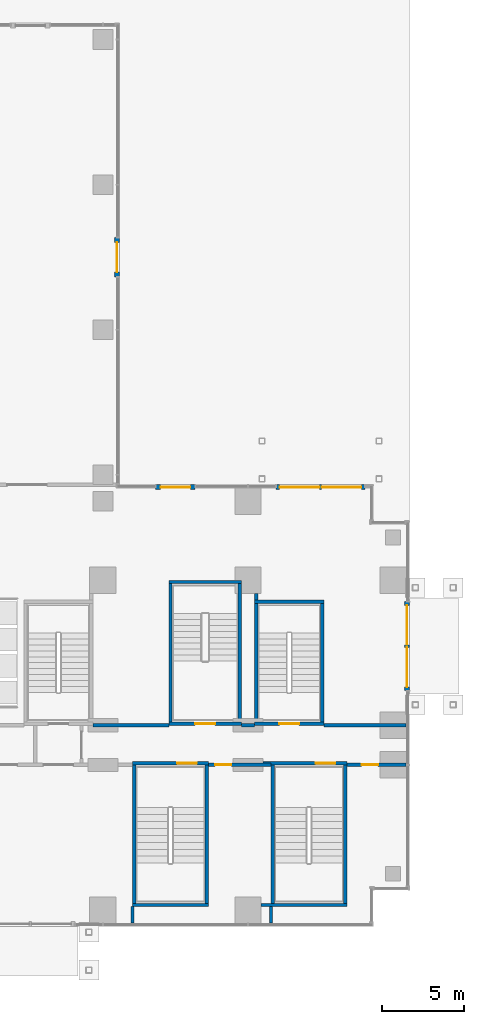
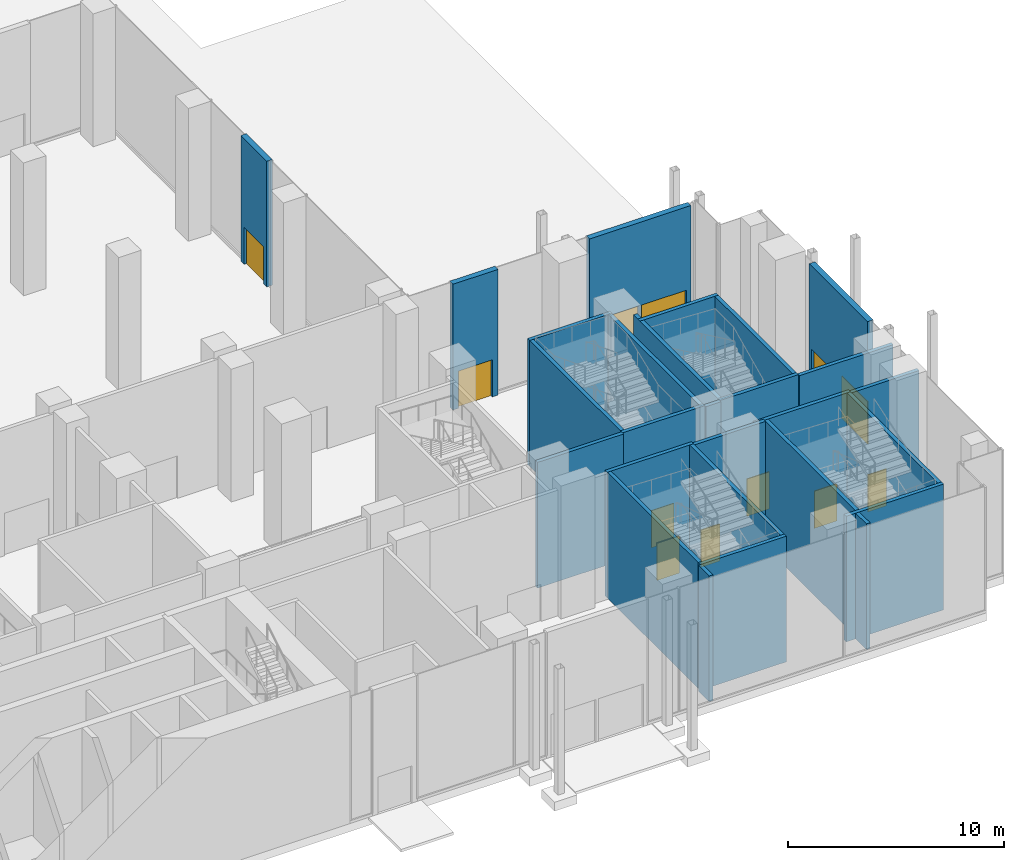
# One storey, part 28 of 41: 27 walls, 12 doors, 12 openings.
"""IFC4 building model written with IfcOpenShell, lengths in metres."""

from ifc_helpers import new_model, si_unit, direction, frame, frame_2d, origin, place, context, subcontext, project, spatial, rectangle, extrude, material, layer, layer_set, type_object, element, fill, save


model = new_model("IFC4")

# Units and contexts
model_context = context("Model", 3, precision=1e-05, world=origin(), true_north=direction((0.0, 1.0)))
body_context = subcontext(model_context, "Body", "Model", "MODEL_VIEW")
ifc_project = project(units=[si_unit("LENGTHUNIT", "METRE"), si_unit("AREAUNIT", "SQUARE_METRE"), si_unit("VOLUMEUNIT", "CUBIC_METRE"), si_unit("PLANEANGLEUNIT", "RADIAN"), si_unit("MASSUNIT", "GRAM", prefix="KILO")], contexts=[model_context])

# Site, building, storey
site_placement = place(None, origin())
site = spatial("IfcSite", under=ifc_project, at=site_placement, CompositionType="ELEMENT")
building_placement = place(site_placement, origin())
building = spatial("IfcBuilding", under=site, at=building_placement, Name="Kemantara Hotel Tower", CompositionType="ELEMENT")
storey_placement = place(building_placement, origin())
storey = spatial("IfcBuildingStorey", under=building, at=storey_placement, Name="L00", CompositionType="ELEMENT", Elevation=0.0)

# Wall, openings, doors
ifc_material_1 = material(Name="Bronze-clad aluminium panel", Category="aluminium")
ifc_layer_1 = layer(ifc_material_1, 0.300048828125)
ifc_layer_set_1 = layer_set([ifc_layer_1], Name="Bronze-clad aluminium panel")
wall_type_1 = type_object("IfcWallType", Name="BRONZE-CLAD EXTERNAL WALL 300", PredefinedType="STANDARD", material=ifc_layer_set_1)
wall_1_placement = place(storey_placement, frame((81.050048828125, 19.699951171875, 0.0), z_axis=(0.0, 0.0, 1.0), x_axis=(0.0, -1.0, 0.0)))
wall_1 = element("IfcWall", 1, at=wall_1_placement, inside=storey, type_object=wall_type_1, Name="EXTERNAL WALL AT ENTRANCE", PredefinedType="STANDARD", context=body_context, shape_type="SweptSolid", body=[
    extrude(rectangle(XDim=5.39990234375, YDim=0.300048828125, at=frame_2d((2.699951171875, 0.0))), origin(), (0.0, 0.0, 1.0), 7.10009765625),
])
opening_1_placement = place(wall_1_placement, frame((0.22509765625, 0.0, 0.0)))
opening_1 = element("IfcOpeningElement", 2, at=opening_1_placement, cuts=wall_1, Name="Opening L00-B033", PredefinedType="OPENING", context=body_context, shape_type="SweptSolid", body=[
    extrude(rectangle(XDim=2.39990234375, YDim=2.39990234375, at=frame_2d((1.199951171875, 1.199951171875))), frame((0.0, 0.159912109375, 0.0), z_axis=(0.0, -1.0, 0.0), x_axis=(1.0, 0.0, 0.0)), (0.0, 0.0, 1.0), 0.320068359375),
])
opening_2_placement = place(wall_1_placement, frame((2.77490234375, 0.0, 0.0)))
opening_2 = element("IfcOpeningElement", 3, at=opening_2_placement, cuts=wall_1, Name="Opening L00-B034", PredefinedType="OPENING", context=body_context, shape_type="SweptSolid", body=[
    extrude(rectangle(XDim=2.39990234375, YDim=2.39990234375, at=frame_2d((1.199951171875, 1.199951171875))), frame((0.0, 0.159912109375, 0.0), z_axis=(0.0, -1.0, 0.0), x_axis=(1.0, 0.0, 0.0)), (0.0, 0.0, 1.0), 0.320068359375),
])
ifc_material_2 = material(Name="Toughened glass door leaf", Category="glass")
door_type_1 = type_object("IfcDoorType", Name="AUTOMATIC SLIDING GLASS DOOR 2400 X 2400", OperationType="DOUBLE_DOOR_SLIDING", PredefinedType="DOOR", material=ifc_material_2)
door_1_placement = place(opening_1_placement, origin())
door_1 = element("IfcDoor", 4, at=door_1_placement, inside=storey, type_object=door_type_1, Name="ENTRANCE DOOR", OperationType="DOUBLE_DOOR_SLIDING", OverallHeight=2.39990234375, OverallWidth=2.39990234375, PredefinedType="DOOR", context=body_context, shape_type="SweptSolid", body=[
    extrude(rectangle(XDim=2.39990234375, YDim=2.39990234375, at=frame_2d((1.199951171875, 1.199951171875))), frame((0.0, 0.02490234375, 0.0), z_axis=(0.0, -1.0, 0.0), x_axis=(1.0, 0.0, 0.0)), (0.0, 0.0, 1.0), 0.050048828125),
])
fill(opening_1, door_1)
door_2_placement = place(opening_2_placement, origin())
door_2 = element("IfcDoor", 5, at=door_2_placement, inside=storey, type_object=door_type_1, Name="ENTRANCE DOOR", OperationType="DOUBLE_DOOR_SLIDING", OverallHeight=2.39990234375, OverallWidth=2.39990234375, PredefinedType="DOOR", context=body_context, shape_type="SweptSolid", body=[
    extrude(rectangle(XDim=2.39990234375, YDim=2.39990234375, at=frame_2d((1.199951171875, 1.199951171875))), frame((0.0, 0.02490234375, 0.0), z_axis=(0.0, -1.0, 0.0), x_axis=(1.0, 0.0, 0.0)), (0.0, 0.0, 1.0), 0.050048828125),
])
fill(opening_2, door_2)

wall_2_placement = place(storey_placement, frame((73.10009765625, 26.64990234375, 0.0), z_axis=(0.0, 0.0, 1.0), x_axis=(1.0, 0.0, 0.0)))
wall_2 = element("IfcWall", 6, at=wall_2_placement, inside=storey, type_object=wall_type_1, Name="EXTERNAL WALL AT ENTRANCE", PredefinedType="STANDARD", context=body_context, shape_type="SweptSolid", body=[
    extrude(rectangle(XDim=5.39990234375, YDim=0.300048828125, at=frame_2d((2.699951171875, 0.0))), origin(), (0.0, 0.0, 1.0), 7.10009765625),
])
opening_3_placement = place(wall_2_placement, frame((0.22509765625, 0.0, 0.0)))
opening_3 = element("IfcOpeningElement", 7, at=opening_3_placement, cuts=wall_2, Name="Opening L00-B035", PredefinedType="OPENING", context=body_context, shape_type="SweptSolid", body=[
    extrude(rectangle(XDim=2.39990234375, YDim=2.39990234375, at=frame_2d((1.199951171875, 1.199951171875))), frame((0.0, 0.159912109375, 0.0), z_axis=(0.0, -1.0, 0.0), x_axis=(1.0, 0.0, 0.0)), (0.0, 0.0, 1.0), 0.320068359375),
])
opening_4_placement = place(wall_2_placement, frame((2.77490234375, 0.0, 0.0)))
opening_4 = element("IfcOpeningElement", 8, at=opening_4_placement, cuts=wall_2, Name="Opening L00-B036", PredefinedType="OPENING", context=body_context, shape_type="SweptSolid", body=[
    extrude(rectangle(XDim=2.39990234375, YDim=2.39990234375, at=frame_2d((1.199951171875, 1.199951171875))), frame((0.0, 0.159912109375, 0.0), z_axis=(0.0, -1.0, 0.0), x_axis=(1.0, 0.0, 0.0)), (0.0, 0.0, 1.0), 0.320068359375),
])
door_3_placement = place(opening_3_placement, origin())
door_3 = element("IfcDoor", 9, at=door_3_placement, inside=storey, type_object=door_type_1, Name="ENTRANCE DOOR", OperationType="DOUBLE_DOOR_SLIDING", OverallHeight=2.39990234375, OverallWidth=2.39990234375, PredefinedType="DOOR", context=body_context, shape_type="SweptSolid", body=[
    extrude(rectangle(XDim=2.39990234375, YDim=2.39990234375, at=frame_2d((1.199951171875, 1.199951171875))), frame((0.0, 0.02490234375, 0.0), z_axis=(0.0, -1.0, 0.0), x_axis=(1.0, 0.0, 0.0)), (0.0, 0.0, 1.0), 0.050048828125),
])
fill(opening_3, door_3)
door_4_placement = place(opening_4_placement, origin())
door_4 = element("IfcDoor", 10, at=door_4_placement, inside=storey, type_object=door_type_1, Name="ENTRANCE DOOR", OperationType="DOUBLE_DOOR_SLIDING", OverallHeight=2.39990234375, OverallWidth=2.39990234375, PredefinedType="DOOR", context=body_context, shape_type="SweptSolid", body=[
    extrude(rectangle(XDim=2.39990234375, YDim=2.39990234375, at=frame_2d((1.199951171875, 1.199951171875))), frame((0.0, 0.02490234375, 0.0), z_axis=(0.0, -1.0, 0.0), x_axis=(1.0, 0.0, 0.0)), (0.0, 0.0, 1.0), 0.050048828125),
])
fill(opening_4, door_4)

# Wall, opening, door
wall_3_placement = place(storey_placement, frame((65.800048828125, 26.64990234375, 0.0), z_axis=(0.0, 0.0, 1.0), x_axis=(1.0, 0.0, 0.0)))
wall_3 = element("IfcWall", 11, at=wall_3_placement, inside=storey, type_object=wall_type_1, Name="EXTERNAL WALL AT ENTRANCE", PredefinedType="STANDARD", context=body_context, shape_type="SweptSolid", body=[
    extrude(rectangle(XDim=2.39990234375, YDim=0.300048828125, at=frame_2d((1.199951171875, 0.0))), origin(), (0.0, 0.0, 1.0), 7.10009765625),
])
opening_5_placement = place(wall_3_placement, frame((0.300048828125, 0.0, 0.0)))
opening_5 = element("IfcOpeningElement", 12, at=opening_5_placement, cuts=wall_3, Name="Opening L00-B045", PredefinedType="OPENING", context=body_context, shape_type="SweptSolid", body=[
    extrude(rectangle(XDim=1.800048828125, YDim=2.10009765625, at=frame_2d((0.89990234375, 1.050048828125))), frame((0.0, 0.159912109375, 0.0), z_axis=(0.0, -1.0, 0.0), x_axis=(1.0, 0.0, 0.0)), (0.0, 0.0, 1.0), 0.320068359375),
])
ifc_material_3 = material(Name="Galvanised steel door leaf", Category="steel")
door_type_2 = type_object("IfcDoorType", Name="FIRE-RATED STEEL DOOR DOUBLE LEAF 1800 X 2100", OperationType="DOUBLE_DOOR_SINGLE_SWING", PredefinedType="DOOR", material=ifc_material_3)
door_5_placement = place(opening_5_placement, origin())
door_5 = element("IfcDoor", 13, at=door_5_placement, inside=storey, type_object=door_type_2, Name="ENTRANCE DOOR", OperationType="DOUBLE_DOOR_SINGLE_SWING", OverallHeight=2.10009765625, OverallWidth=1.800048828125, PredefinedType="DOOR", context=body_context, shape_type="SweptSolid", body=[
    extrude(rectangle(XDim=1.800048828125, YDim=2.10009765625, at=frame_2d((0.89990234375, 1.050048828125))), frame((0.0, 0.02490234375, 0.0), z_axis=(0.0, -1.0, 0.0), x_axis=(1.0, 0.0, 0.0)), (0.0, 0.0, 1.0), 0.050048828125),
])
fill(opening_5, door_5)

wall_4_placement = place(storey_placement, frame((63.449951171875, 41.800048828125, 0.0), z_axis=(0.0, 0.0, 1.0), x_axis=(0.0, -1.0, 0.0)))
wall_4 = element("IfcWall", 14, at=wall_4_placement, inside=storey, type_object=wall_type_1, Name="EXTERNAL WALL AT ENTRANCE", PredefinedType="STANDARD", context=body_context, shape_type="SweptSolid", body=[
    extrude(rectangle(XDim=2.400146484375, YDim=0.300048828125, at=frame_2d((1.2001953125, 0.0))), origin(), (0.0, 0.0, 1.0), 7.10009765625),
])
opening_6_placement = place(wall_4_placement, frame((0.300048828125, 0.0, 0.0)))
opening_6 = element("IfcOpeningElement", 15, at=opening_6_placement, cuts=wall_4, Name="Opening L00-B046", PredefinedType="OPENING", context=body_context, shape_type="SweptSolid", body=[
    extrude(rectangle(XDim=1.800048828125, YDim=2.10009765625, at=frame_2d((0.89990234375, 1.050048828125))), frame((0.0, 0.159912109375, 0.0), z_axis=(0.0, -1.0, 0.0), x_axis=(1.0, 0.0, 0.0)), (0.0, 0.0, 1.0), 0.320068359375),
])
door_6_placement = place(opening_6_placement, origin())
door_6 = element("IfcDoor", 16, at=door_6_placement, inside=storey, type_object=door_type_2, Name="ENTRANCE DOOR", OperationType="DOUBLE_DOOR_SINGLE_SWING", OverallHeight=2.10009765625, OverallWidth=1.800048828125, PredefinedType="DOOR", context=body_context, shape_type="SweptSolid", body=[
    extrude(rectangle(XDim=1.800048828125, YDim=2.10009765625, at=frame_2d((0.89990234375, 1.050048828125))), frame((0.0, 0.02490234375, 0.0), z_axis=(0.0, -1.0, 0.0), x_axis=(1.0, 0.0, 0.0)), (0.0, 0.0, 1.0), 0.050048828125),
])
fill(opening_6, door_6)

ifc_material_4 = material(Name="Concrete fc 40 MPa", Category="concrete")
ifc_layer_2 = layer(ifc_material_4, 0.199951171875)
ifc_layer_set_2 = layer_set([ifc_layer_2], Name="Concrete fc 40 MPa")
wall_type_2 = type_object("IfcWallType", Name="Concrete stair wall 200 mm", PredefinedType="SHEAR", material=ifc_layer_set_2)
wall_5_placement = place(storey_placement, frame((71.800048828125, 12.300048828125, 0.0), z_axis=(0.0, 0.0, 1.0), x_axis=(1.0, 0.0, 0.0)))
wall_5 = element("IfcWall", 17, at=wall_5_placement, inside=storey, type_object=wall_type_2, Name="Stair ST5 enclosure wall with door", PredefinedType="SHEAR", context=body_context, shape_type="SweptSolid", body=[
    extrude(rectangle(XDim=4.199951171875, YDim=0.199951171875, at=frame_2d((2.10009765625, 0.0))), origin(), (0.0, 0.0, 1.0), 7.10009765625),
])
opening_7_placement = place(wall_5_placement, frame((1.5, 0.0, 0.0)))
opening_7 = element("IfcOpeningElement", 18, at=opening_7_placement, cuts=wall_5, Name="Opening ST5-C", PredefinedType="OPENING", context=body_context, shape_type="SweptSolid", body=[
    extrude(rectangle(XDim=1.199951171875, YDim=2.10009765625, at=frame_2d((0.60009765625, 1.050048828125))), frame((0.0, 0.10986328125, 0.0), z_axis=(0.0, -1.0, 0.0), x_axis=(1.0, 0.0, 0.0)), (0.0, 0.0, 1.0), 0.219970703125),
])
ifc_material_5 = material(Name="Steel fire door", Category="steel")
door_type_3 = type_object("IfcDoorType", Name="Fire door FD90 1200 x 2100", OperationType="NOTDEFINED", PredefinedType="DOOR", material=ifc_material_5)
door_7_placement = place(opening_7_placement, frame((1.199951171875, 0.0, 0.0), z_axis=(0.0, 0.0, 1.0), x_axis=(-1.0, 0.0, 0.0)))
door_7 = element("IfcDoor", 19, at=door_7_placement, inside=storey, type_object=door_type_3, Name="Stair ST5 door", OperationType="SINGLE_SWING_LEFT", OverallHeight=2.10009765625, OverallWidth=1.199951171875, PredefinedType="DOOR", context=body_context, shape_type="SweptSolid", body=[
    extrude(rectangle(XDim=1.199951171875, YDim=2.10009765625, at=frame_2d((0.60009765625, 1.050048828125))), frame((0.0, 0.02490234375, 0.0), z_axis=(0.0, -1.0, 0.0), x_axis=(1.0, 0.0, 0.0)), (0.0, 0.0, 1.0), 0.050048828125),
])
fill(opening_7, door_7)

# Walls
wall_6_placement = place(storey_placement, frame((71.800048828125, 19.699951171875, 0.0), z_axis=(0.0, 0.0, 1.0), x_axis=(1.0, 0.0, 0.0)))
element("IfcWall", 20, at=wall_6_placement, inside=storey, type_object=wall_type_2, Name="Stair ST5 enclosure wall N", PredefinedType="SHEAR", context=body_context, shape_type="SweptSolid", body=[
    extrude(rectangle(XDim=4.199951171875, YDim=0.199951171875, at=frame_2d((2.10009765625, 0.0))), origin(), (0.0, 0.0, 1.0), 7.10009765625),
])
wall_7_placement = place(storey_placement, frame((71.89990234375, 12.39990234375, 0.0), z_axis=(0.0, 0.0, 1.0), x_axis=(0.0, 1.0, 0.0)))
element("IfcWall", 21, at=wall_7_placement, inside=storey, type_object=wall_type_2, Name="Stair ST5 enclosure wall W", PredefinedType="SHEAR", context=body_context, shape_type="SweptSolid", body=[
    extrude(rectangle(XDim=7.800048828125, YDim=0.199951171875, at=frame_2d((3.89990234375, 0.0))), origin(), (0.0, 0.0, 1.0), 7.10009765625),
])
wall_8_placement = place(storey_placement, frame((75.89990234375, 12.39990234375, 0.0), z_axis=(0.0, 0.0, 1.0), x_axis=(0.0, 1.0, 0.0)))
element("IfcWall", 22, at=wall_8_placement, inside=storey, type_object=wall_type_2, Name="Stair ST5 enclosure wall E", PredefinedType="SHEAR", context=body_context, shape_type="SweptSolid", body=[
    extrude(rectangle(XDim=7.2001953125, YDim=0.199951171875, at=frame_2d((3.60009765625, 0.0))), origin(), (0.0, 0.0, 1.0), 7.10009765625),
])

# Wall, opening, door
wall_9_placement = place(storey_placement, frame((66.60009765625, 12.300048828125, 0.0), z_axis=(0.0, 0.0, 1.0), x_axis=(1.0, 0.0, 0.0)))
wall_9 = element("IfcWall", 23, at=wall_9_placement, inside=storey, type_object=wall_type_2, Name="Stair PS1 enclosure wall with door", PredefinedType="SHEAR", context=body_context, shape_type="SweptSolid", body=[
    extrude(rectangle(XDim=4.39990234375, YDim=0.199951171875, at=frame_2d((2.199951171875, 0.0))), origin(), (0.0, 0.0, 1.0), 7.10009765625),
])
opening_8_placement = place(wall_9_placement, frame((1.60009765625, 0.0, 0.0)))
opening_8 = element("IfcOpeningElement", 24, at=opening_8_placement, cuts=wall_9, Name="Opening PS1-C", PredefinedType="OPENING", context=body_context, shape_type="SweptSolid", body=[
    extrude(rectangle(XDim=1.199951171875, YDim=2.10009765625, at=frame_2d((0.60009765625, 1.050048828125))), frame((0.0, 0.10986328125, 0.0), z_axis=(0.0, -1.0, 0.0), x_axis=(1.0, 0.0, 0.0)), (0.0, 0.0, 1.0), 0.219970703125),
])
door_8_placement = place(opening_8_placement, frame((1.199951171875, 0.0, 0.0), z_axis=(0.0, 0.0, 1.0), x_axis=(-1.0, 0.0, 0.0)))
door_8 = element("IfcDoor", 25, at=door_8_placement, inside=storey, type_object=door_type_3, Name="Stair PS1 door", OperationType="SINGLE_SWING_LEFT", OverallHeight=2.10009765625, OverallWidth=1.199951171875, PredefinedType="DOOR", context=body_context, shape_type="SweptSolid", body=[
    extrude(rectangle(XDim=1.199951171875, YDim=2.10009765625, at=frame_2d((0.60009765625, 1.050048828125))), frame((0.0, 0.02490234375, 0.0), z_axis=(0.0, -1.0, 0.0), x_axis=(1.0, 0.0, 0.0)), (0.0, 0.0, 1.0), 0.050048828125),
])
fill(opening_8, door_8)

# Walls
wall_10_placement = place(storey_placement, frame((66.60009765625, 20.89990234375, 0.0), z_axis=(0.0, 0.0, 1.0), x_axis=(1.0, 0.0, 0.0)))
element("IfcWall", 26, at=wall_10_placement, inside=storey, type_object=wall_type_2, Name="Stair PS1 enclosure wall N", PredefinedType="SHEAR", context=body_context, shape_type="SweptSolid", body=[
    extrude(rectangle(XDim=4.39990234375, YDim=0.199951171875, at=frame_2d((2.199951171875, 0.0))), origin(), (0.0, 0.0, 1.0), 7.10009765625),
])
for number, where, z_axis, x_axis, name in (
    (27, (66.699951171875, 12.39990234375, 0.0), (0.0, 0.0, 1.0), (0.0, 1.0, 0.0), "Stair PS1 enclosure wall W"),
    (28, (70.89990234375, 12.39990234375, 0.0), (0.0, 0.0, 1.0), (0.0, 1.0, 0.0), "Stair PS1 enclosure wall E"),
):
    element("IfcWall", number, at=place(storey_placement, frame(where, z_axis=z_axis, x_axis=x_axis)), inside=storey, type_object=wall_type_2, Name=name, PredefinedType="SHEAR", context=body_context, shape_type="SweptSolid", body=[
        extrude(rectangle(XDim=8.400146484375, YDim=0.199951171875, at=frame_2d((4.2001953125, 0.0))), origin(), (0.0, 0.0, 1.0), 7.10009765625),
    ])

# Wall, opening, door
wall_11_placement = place(storey_placement, frame((64.39990234375, 9.89990234375, 0.0), z_axis=(0.0, 0.0, 1.0), x_axis=(1.0, 0.0, 0.0)))
wall_11 = element("IfcWall", 29, at=wall_11_placement, inside=storey, type_object=wall_type_2, Name="Stair PS4 enclosure wall with door", PredefinedType="SHEAR", context=body_context, shape_type="SweptSolid", body=[
    extrude(rectangle(XDim=4.60009765625, YDim=0.199951171875, at=frame_2d((2.300048828125, 0.0))), origin(), (0.0, 0.0, 1.0), 7.10009765625),
])
opening_9_placement = place(wall_11_placement, frame((2.699951171875, 0.0, 0.0)))
opening_9 = element("IfcOpeningElement", 30, at=opening_9_placement, cuts=wall_11, Name="Opening PS4-C", PredefinedType="OPENING", context=body_context, shape_type="SweptSolid", body=[
    extrude(rectangle(XDim=1.199951171875, YDim=2.10009765625, at=frame_2d((0.60009765625, 1.050048828125))), frame((0.0, 0.10986328125, 0.0), z_axis=(0.0, -1.0, 0.0), x_axis=(1.0, 0.0, 0.0)), (0.0, 0.0, 1.0), 0.219970703125),
])
door_9_placement = place(opening_9_placement, origin())
door_9 = element("IfcDoor", 31, at=door_9_placement, inside=storey, type_object=door_type_3, Name="Stair PS4 door", OperationType="SINGLE_SWING_RIGHT", OverallHeight=2.10009765625, OverallWidth=1.199951171875, PredefinedType="DOOR", context=body_context, shape_type="SweptSolid", body=[
    extrude(rectangle(XDim=1.199951171875, YDim=2.10009765625, at=frame_2d((0.60009765625, 1.050048828125))), frame((0.0, 0.02490234375, 0.0), z_axis=(0.0, -1.0, 0.0), x_axis=(1.0, 0.0, 0.0)), (0.0, 0.0, 1.0), 0.050048828125),
])
fill(opening_9, door_9)

# Walls
wall_12_placement = place(storey_placement, frame((64.39990234375, 1.300048828125, 0.0), z_axis=(0.0, 0.0, 1.0), x_axis=(1.0, 0.0, 0.0)))
element("IfcWall", 32, at=wall_12_placement, inside=storey, type_object=wall_type_2, Name="Stair PS4 enclosure wall S", PredefinedType="SHEAR", context=body_context, shape_type="SweptSolid", body=[
    extrude(rectangle(XDim=4.60009765625, YDim=0.199951171875, at=frame_2d((2.300048828125, 0.0))), origin(), (0.0, 0.0, 1.0), 7.10009765625),
])
for number, where, z_axis, x_axis, name in (
    (33, (64.5, 1.39990234375, 0.0), (0.0, 0.0, 1.0), (0.0, 1.0, 0.0), "Stair PS4 enclosure wall W"),
    (34, (68.89990234375, 1.39990234375, 0.0), (0.0, 0.0, 1.0), (0.0, 1.0, 0.0), "Stair PS4 enclosure wall E"),
):
    element("IfcWall", number, at=place(storey_placement, frame(where, z_axis=z_axis, x_axis=x_axis)), inside=storey, type_object=wall_type_2, Name=name, PredefinedType="SHEAR", context=body_context, shape_type="SweptSolid", body=[
        extrude(rectangle(XDim=8.400146484375, YDim=0.199951171875, at=frame_2d((4.2001953125, 0.0))), origin(), (0.0, 0.0, 1.0), 7.10009765625),
    ])

# Wall, opening, door
wall_13_placement = place(storey_placement, frame((72.300048828125, 9.89990234375, 0.0), z_axis=(0.0, 0.0, 1.0), x_axis=(1.0, 0.0, 0.0)))
wall_13 = element("IfcWall", 35, at=wall_13_placement, inside=storey, type_object=wall_type_2, Name="Stair PS5 enclosure wall with door", PredefinedType="SHEAR", context=body_context, shape_type="SweptSolid", body=[
    extrude(rectangle(XDim=5.099853515625, YDim=0.199951171875, at=frame_2d((2.5498046875, 0.0))), origin(), (0.0, 0.0, 1.0), 7.10009765625),
])
opening_10_placement = place(wall_13_placement, frame((3.199951171875, 0.0, 0.0)))
opening_10 = element("IfcOpeningElement", 36, at=opening_10_placement, cuts=wall_13, Name="Opening PS5-C", PredefinedType="OPENING", context=body_context, shape_type="SweptSolid", body=[
    extrude(rectangle(XDim=1.199951171875, YDim=2.10009765625, at=frame_2d((0.60009765625, 1.050048828125))), frame((0.0, 0.10986328125, 0.0), z_axis=(0.0, -1.0, 0.0), x_axis=(1.0, 0.0, 0.0)), (0.0, 0.0, 1.0), 0.219970703125),
])
door_10_placement = place(opening_10_placement, origin())
door_10 = element("IfcDoor", 37, at=door_10_placement, inside=storey, type_object=door_type_3, Name="Stair PS5 door", OperationType="SINGLE_SWING_RIGHT", OverallHeight=2.10009765625, OverallWidth=1.199951171875, PredefinedType="DOOR", context=body_context, shape_type="SweptSolid", body=[
    extrude(rectangle(XDim=1.199951171875, YDim=2.10009765625, at=frame_2d((0.60009765625, 1.050048828125))), frame((0.0, 0.02490234375, 0.0), z_axis=(0.0, -1.0, 0.0), x_axis=(1.0, 0.0, 0.0)), (0.0, 0.0, 1.0), 0.050048828125),
])
fill(opening_10, door_10)

# Walls
wall_14_placement = place(storey_placement, frame((72.199951171875, 1.300048828125, 0.0), z_axis=(0.0, 0.0, 1.0), x_axis=(1.0, 0.0, 0.0)))
element("IfcWall", 38, at=wall_14_placement, inside=storey, type_object=wall_type_2, Name="Stair PS5 enclosure wall S", PredefinedType="SHEAR", context=body_context, shape_type="SweptSolid", body=[
    extrude(rectangle(XDim=5.199951171875, YDim=0.199951171875, at=frame_2d((2.60009765625, 0.0))), origin(), (0.0, 0.0, 1.0), 7.10009765625),
])
for number, where, z_axis, x_axis, name in (
    (39, (72.89990234375, 1.39990234375, 0.0), (0.0, 0.0, 1.0), (0.0, 1.0, 0.0), "Stair PS5 enclosure wall W"),
    (40, (77.300048828125, 1.39990234375, 0.0), (0.0, 0.0, 1.0), (0.0, 1.0, 0.0), "Stair PS5 enclosure wall E"),
):
    element("IfcWall", number, at=place(storey_placement, frame(where, z_axis=z_axis, x_axis=x_axis)), inside=storey, type_object=wall_type_2, Name=name, PredefinedType="SHEAR", context=body_context, shape_type="SweptSolid", body=[
        extrude(rectangle(XDim=8.400146484375, YDim=0.199951171875, at=frame_2d((4.2001953125, 0.0))), origin(), (0.0, 0.0, 1.0), 7.10009765625),
    ])

# Wall, opening, door
ifc_material_6 = material(Name="Fire-rated gypsum board partition")
ifc_layer_3 = layer(ifc_material_6, 0.199951171875)
ifc_layer_set_3 = layer_set([ifc_layer_3], Name="Fire-rated gypsum board partition")
wall_type_3 = type_object("IfcWallType", Name="FIRE-RATED GYPSUM PARTITION 200 EI 60", PredefinedType="PARTITIONING", material=ifc_layer_set_3)
wall_15_placement = place(storey_placement, frame((69.0, 9.800048828125, 0.0), z_axis=(0.0, 0.0, 1.0), x_axis=(1.0, 0.0, 0.0)))
wall_15 = element("IfcWall", 41, at=wall_15_placement, inside=storey, type_object=wall_type_3, Name="FIRE-RATED PARTITION", PredefinedType="PARTITIONING", context=body_context, shape_type="SweptSolid", body=[
    extrude(rectangle(XDim=3.800048828125, YDim=0.199951171875, at=frame_2d((1.89990234375, 0.0))), origin(), (0.0, 0.0, 1.0), 7.10009765625),
])
opening_11_placement = place(wall_15_placement, frame((0.39990234375, 0.0, 0.0)))
opening_11 = element("IfcOpeningElement", 42, at=opening_11_placement, cuts=wall_15, Name="Opening L00-B007", PredefinedType="OPENING", context=body_context, shape_type="SweptSolid", body=[
    extrude(rectangle(XDim=1.0, YDim=2.10009765625, at=frame_2d((0.5, 1.050048828125))), frame((0.0, 0.10986328125, 0.0), z_axis=(0.0, -1.0, 0.0), x_axis=(1.0, 0.0, 0.0)), (0.0, 0.0, 1.0), 0.219970703125),
])
ifc_material_7 = material(Name="Timber veneer door leaf", Category="wood")
door_type_4 = type_object("IfcDoorType", Name="SINGLE LEAF TIMBER DOOR 1000 X 2100", OperationType="SINGLE_SWING_LEFT", PredefinedType="DOOR", material=ifc_material_7)
door_11_placement = place(opening_11_placement, frame((1.0, 0.0, 0.0), z_axis=(0.0, 0.0, 1.0), x_axis=(-1.0, 0.0, 0.0)))
door_11 = element("IfcDoor", 43, at=door_11_placement, inside=storey, type_object=door_type_4, Name="SINGLE LEAF TIMBER DOOR", OperationType="SINGLE_SWING_RIGHT", OverallHeight=2.10009765625, OverallWidth=1.0, PredefinedType="DOOR", context=body_context, shape_type="SweptSolid", body=[
    extrude(rectangle(XDim=1.0, YDim=2.10009765625, at=frame_2d((0.5, 1.050048828125))), frame((0.0, 0.02490234375, 0.0), z_axis=(0.0, -1.0, 0.0), x_axis=(1.0, 0.0, 0.0)), (0.0, 0.0, 1.0), 0.050048828125),
])
fill(opening_11, door_11)

wall_16_placement = place(storey_placement, frame((77.39990234375, 9.800048828125, 0.0), z_axis=(0.0, 0.0, 1.0), x_axis=(1.0, 0.0, 0.0)))
wall_16 = element("IfcWall", 44, at=wall_16_placement, inside=storey, type_object=wall_type_3, Name="FIRE-RATED PARTITION", PredefinedType="PARTITIONING", context=body_context, shape_type="SweptSolid", body=[
    extrude(rectangle(XDim=3.60009765625, YDim=0.199951171875, at=frame_2d((1.800048828125, 0.0))), origin(), (0.0, 0.0, 1.0), 7.10009765625),
])
opening_12_placement = place(wall_16_placement, frame((0.89990234375, 0.0, 0.0)))
opening_12 = element("IfcOpeningElement", 45, at=opening_12_placement, cuts=wall_16, Name="Opening L00-B008", PredefinedType="OPENING", context=body_context, shape_type="SweptSolid", body=[
    extrude(rectangle(XDim=1.0, YDim=2.10009765625, at=frame_2d((0.5, 1.050048828125))), frame((0.0, 0.10986328125, 0.0), z_axis=(0.0, -1.0, 0.0), x_axis=(1.0, 0.0, 0.0)), (0.0, 0.0, 1.0), 0.219970703125),
])
door_12_placement = place(opening_12_placement, frame((1.0, 0.0, 0.0), z_axis=(0.0, 0.0, 1.0), x_axis=(-1.0, 0.0, 0.0)))
door_12 = element("IfcDoor", 46, at=door_12_placement, inside=storey, type_object=door_type_4, Name="SINGLE LEAF TIMBER DOOR", OperationType="SINGLE_SWING_RIGHT", OverallHeight=2.10009765625, OverallWidth=1.0, PredefinedType="DOOR", context=body_context, shape_type="SweptSolid", body=[
    extrude(rectangle(XDim=1.0, YDim=2.10009765625, at=frame_2d((0.5, 1.050048828125))), frame((0.0, 0.02490234375, 0.0), z_axis=(0.0, -1.0, 0.0), x_axis=(1.0, 0.0, 0.0)), (0.0, 0.0, 1.0), 0.050048828125),
])
fill(opening_12, door_12)

# Walls
wall_17_placement = place(storey_placement, frame((62.0, 12.199951171875, 0.0), z_axis=(0.0, 0.0, 1.0), x_axis=(1.0, 0.0, 0.0)))
element("IfcWall", 47, at=wall_17_placement, inside=storey, type_object=wall_type_3, Name="FIRE-RATED PARTITION", PredefinedType="PARTITIONING", context=body_context, shape_type="SweptSolid", body=[
    extrude(rectangle(XDim=4.60009765625, YDim=0.199951171875, at=frame_2d((2.300048828125, 0.0))), origin(), (0.0, 0.0, 1.0), 7.10009765625),
])
wall_18_placement = place(storey_placement, frame((71.0, 12.199951171875, 0.0), z_axis=(0.0, 0.0, 1.0), x_axis=(1.0, 0.0, 0.0)))
element("IfcWall", 48, at=wall_18_placement, inside=storey, type_object=wall_type_3, Name="FIRE-RATED PARTITION", PredefinedType="PARTITIONING", context=body_context, shape_type="SweptSolid", body=[
    extrude(rectangle(XDim=0.800048828125, YDim=0.199951171875, at=frame_2d((0.39990234375, 0.0))), origin(), (0.0, 0.0, 1.0), 7.10009765625),
])
wall_19_placement = place(storey_placement, frame((76.0, 12.199951171875, 0.0), z_axis=(0.0, 0.0, 1.0), x_axis=(1.0, 0.0, 0.0)))
element("IfcWall", 49, at=wall_19_placement, inside=storey, type_object=wall_type_3, Name="FIRE-RATED PARTITION", PredefinedType="PARTITIONING", context=body_context, shape_type="SweptSolid", body=[
    extrude(rectangle(XDim=5.0, YDim=0.199951171875, at=frame_2d((2.5, 0.0))), origin(), (0.0, 0.0, 1.0), 7.10009765625),
])
ifc_material_8 = material(Name="Gypsum board partition")
ifc_layer_4 = layer(ifc_material_8, 0.199951171875)
ifc_layer_set_4 = layer_set([ifc_layer_4], Name="Gypsum board partition")
wall_type_4 = type_object("IfcWallType", Name="GYPSUM BOARD PARTITION 200", PredefinedType="PARTITIONING", material=ifc_layer_set_4)
for number, where, z_axis, x_axis, name in (
    (50, (64.39990234375, 0.199951171875, 0.0), (0.0, 0.0, 1.0), (0.0, 1.0, 0.0), "PARTITION"),
    (51, (72.800048828125, 0.199951171875, 0.0), (0.0, 0.0, 1.0), (0.0, 1.0, 0.0), "PARTITION"),
):
    element("IfcWall", number, at=place(storey_placement, frame(where, z_axis=z_axis, x_axis=x_axis)), inside=storey, type_object=wall_type_4, Name=name, PredefinedType="PARTITIONING", context=body_context, shape_type="SweptSolid", body=[
        extrude(rectangle(XDim=1.0, YDim=0.199951171875, at=frame_2d((0.5, 0.0))), origin(), (0.0, 0.0, 1.0), 7.10009765625),
    ])

save(model, "model.ifc")
